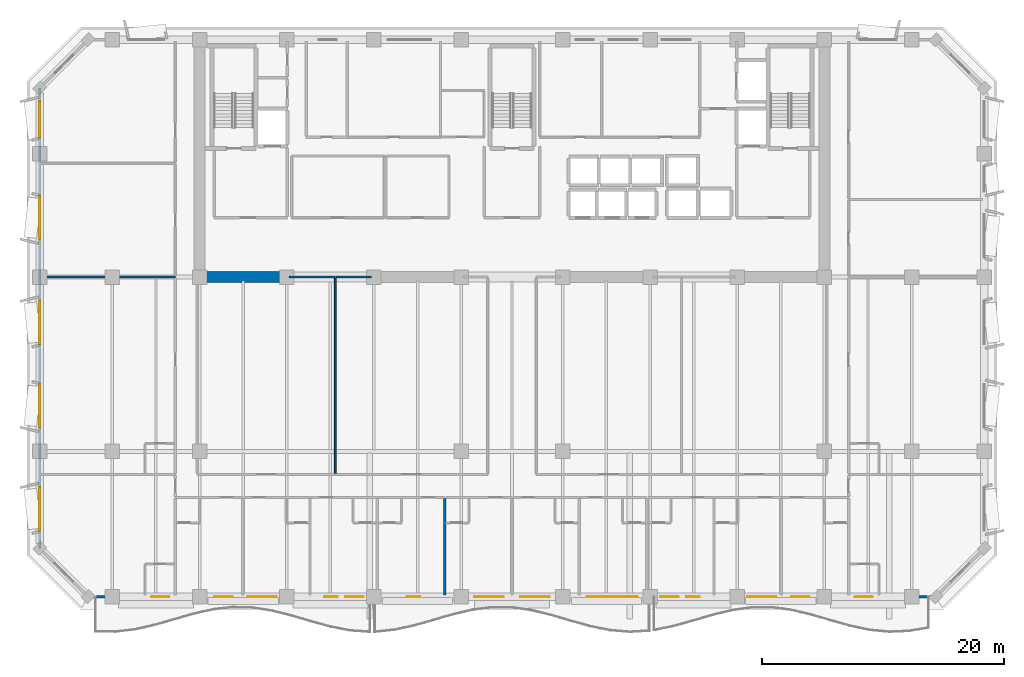
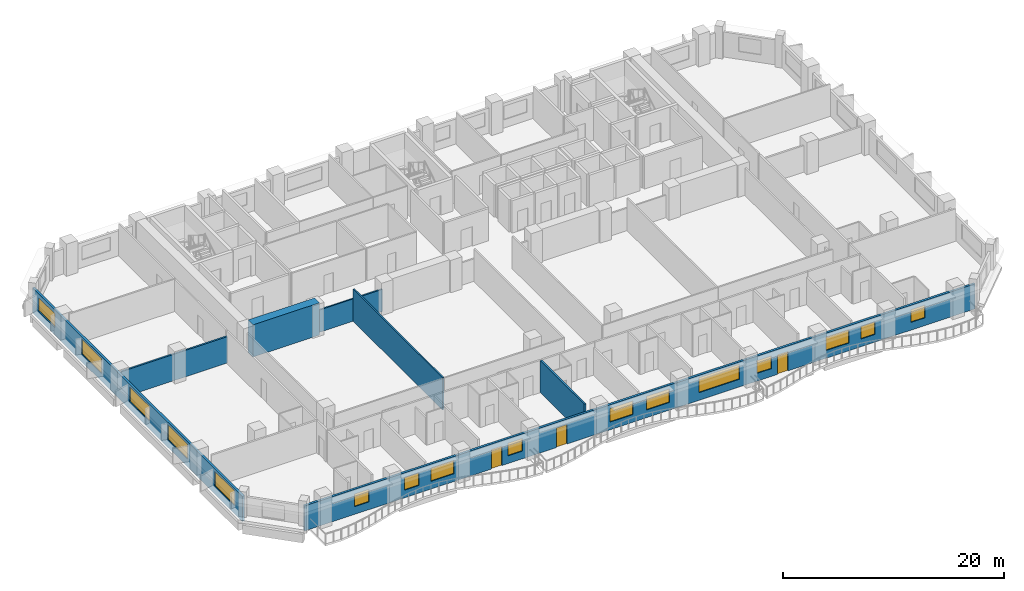
# One storey, part 5 of 15: 16 windows, 8 walls, 3 doors, 19 openings.
"""IFC4 building model written with IfcOpenShell, lengths in metres."""

from ifc_helpers import new_model, si_unit, direction, frame, frame_2d, origin, place, context, subcontext, project, spatial, rectangle, extrude, material, layer, layer_set, type_object, element, fill, save


model = new_model("IFC4")

# Units and contexts
model_context = context("Model", 3, precision=1e-05, world=origin(), true_north=direction((0.0, 1.0)))
body_context = subcontext(model_context, "Body", "Model", "MODEL_VIEW")
ifc_project = project(units=[si_unit("LENGTHUNIT", "METRE"), si_unit("AREAUNIT", "SQUARE_METRE"), si_unit("VOLUMEUNIT", "CUBIC_METRE"), si_unit("PLANEANGLEUNIT", "RADIAN"), si_unit("MASSUNIT", "GRAM", prefix="KILO")], contexts=[model_context])

# Site, building, storey
site_placement = place(None, origin())
site = spatial("IfcSite", under=ifc_project, at=site_placement, CompositionType="ELEMENT")
building_placement = place(site_placement, origin())
building = spatial("IfcBuilding", under=site, at=building_placement, Name="Kaelvorn Grand Hotel", CompositionType="ELEMENT")
storey_placement = place(building_placement, frame((0.0, 0.0, 139.14990234375)))
storey = spatial("IfcBuildingStorey", under=building, at=storey_placement, Name="L33", CompositionType="ELEMENT", Elevation=139.14990234375)

# Wall
ifc_material_1 = material(Name="Concrete C60/75", Category="concrete")
ifc_layer_1 = layer(ifc_material_1, 0.89990234375)
ifc_layer_set_1 = layer_set([ifc_layer_1], Name="Concrete C60/75")
wall_type_1 = type_object("IfcWallType", Name="WL-CORE-900-C60", PredefinedType="SHEAR", material=ifc_layer_set_1)
wall_1_placement = place(storey_placement, frame((16.655029296875, 29.39990234375, 0.0), z_axis=(0.0, 0.0, 1.0), x_axis=(1.0, 0.0, 0.0)))
element("IfcWall", 1, at=wall_1_placement, inside=storey, type_object=wall_type_1, Name="L33 Rear-Core Coupled Shear Pier S1", PredefinedType="SHEAR", context=body_context, shape_type="SweptSolid", body=[
    extrude(rectangle(XDim=6.945068359375, YDim=0.89990234375, at=frame_2d((3.47265625, 0.0))), origin(), (0.0, 0.0, 1.0), 3.56005859375),
])

# Wall, openings, doors, windows
ifc_material_2 = material(Name="Concrete C40/50", Category="concrete")
ifc_layer_2 = layer(ifc_material_2, 0.239990234375)
ifc_layer_set_2 = layer_set([ifc_layer_2], Name="Concrete C40/50")
wall_type_2 = type_object("IfcWallType", Name="WL-EXT-240-C40", PredefinedType="SOLIDWALL", material=ifc_layer_set_2)
wall_2_placement = place(storey_placement, frame((7.0, 3.0, 0.0), z_axis=(0.0, 0.0, 1.0), x_axis=(1.0, 0.0, 0.0)))
wall_2 = element("IfcWall", 2, at=wall_2_placement, inside=storey, type_object=wall_type_2, Name="L33 Exterior Architectural Concrete Wall 01", PredefinedType="SOLIDWALL", context=body_context, shape_type="SweptSolid", body=[
    extrude(rectangle(XDim=70.0, YDim=0.239990234375, at=frame_2d((35.0, 0.0))), origin(), (0.0, 0.0, 1.0), 2.760009765625),
])
opening_1_placement = place(wall_2_placement, frame((19.5166015625, 0.0, 0.0)))
opening_1 = element("IfcOpeningElement", 3, at=opening_1_placement, cuts=wall_2, Name="Opening DE2", PredefinedType="OPENING", context=body_context, shape_type="SweptSolid", body=[
    extrude(rectangle(XDim=1.10009765625, YDim=2.14990234375, at=frame_2d((0.550048828125, 1.074951171875))), frame((0.0, 0.1298828125, 0.0), z_axis=(0.0, -1.0, 0.0), x_axis=(1.0, 0.0, 0.0)), (0.0, 0.0, 1.0), 0.260009765625),
])
opening_2_placement = place(wall_2_placement, frame((26.316650390625, 0.0, 0.0)))
opening_2 = element("IfcOpeningElement", 4, at=opening_2_placement, cuts=wall_2, Name="Opening DE2", PredefinedType="OPENING", context=body_context, shape_type="SweptSolid", body=[
    extrude(rectangle(XDim=1.10009765625, YDim=2.14990234375, at=frame_2d((0.550048828125, 1.074951171875))), frame((0.0, 0.1298828125, 0.0), z_axis=(0.0, -1.0, 0.0), x_axis=(1.0, 0.0, 0.0)), (0.0, 0.0, 1.0), 0.260009765625),
])
opening_3_placement = place(wall_2_placement, frame((49.38330078125, 0.0, 0.0)))
opening_3 = element("IfcOpeningElement", 5, at=opening_3_placement, cuts=wall_2, Name="Opening DE2", PredefinedType="OPENING", context=body_context, shape_type="SweptSolid", body=[
    extrude(rectangle(XDim=1.10009765625, YDim=2.14990234375, at=frame_2d((0.550048828125, 1.074951171875))), frame((0.0, 0.1298828125, 0.0), z_axis=(0.0, -1.0, 0.0), x_axis=(1.0, 0.0, 0.0)), (0.0, 0.0, 1.0), 0.260009765625),
])
opening_4_placement = place(wall_2_placement, frame((5.199951171875, 0.0, 0.85009765625)))
opening_4 = element("IfcOpeningElement", 6, at=opening_4_placement, cuts=wall_2, Name="Opening W10", PredefinedType="OPENING", context=body_context, shape_type="SweptSolid", body=[
    extrude(rectangle(XDim=1.5, YDim=1.39990234375, at=frame_2d((0.75, 0.699951171875))), frame((0.0, 0.1298828125, 0.0), z_axis=(0.0, -1.0, 0.0), x_axis=(1.0, 0.0, 0.0)), (0.0, 0.0, 1.0), 0.260009765625),
])
opening_5_placement = place(wall_2_placement, frame((10.429931640625, 0.0, 0.85009765625)))
opening_5 = element("IfcOpeningElement", 7, at=opening_5_placement, cuts=wall_2, Name="Opening W10", PredefinedType="OPENING", context=body_context, shape_type="SweptSolid", body=[
    extrude(rectangle(XDim=1.5, YDim=1.39990234375, at=frame_2d((0.75, 0.699951171875))), frame((0.0, 0.1298828125, 0.0), z_axis=(0.0, -1.0, 0.0), x_axis=(1.0, 0.0, 0.0)), (0.0, 0.0, 1.0), 0.260009765625),
])
opening_6_placement = place(wall_2_placement, frame((13.179931640625, 0.0, 0.85009765625)))
opening_6 = element("IfcOpeningElement", 8, at=opening_6_placement, cuts=wall_2, Name="Opening W6", PredefinedType="OPENING", context=body_context, shape_type="SweptSolid", body=[
    extrude(rectangle(XDim=2.39990234375, YDim=1.5, at=frame_2d((1.199951171875, 0.75))), frame((0.0, 0.1298828125, 0.0), z_axis=(0.0, -1.0, 0.0), x_axis=(1.0, 0.0, 0.0)), (0.0, 0.0, 1.0), 0.260009765625),
])
opening_7_placement = place(wall_2_placement, frame((21.243408203125, 0.0, 0.85009765625)))
opening_7 = element("IfcOpeningElement", 9, at=opening_7_placement, cuts=wall_2, Name="Opening W10", PredefinedType="OPENING", context=body_context, shape_type="SweptSolid", body=[
    extrude(rectangle(XDim=1.5, YDim=1.39990234375, at=frame_2d((0.75, 0.699951171875))), frame((0.0, 0.1298828125, 0.0), z_axis=(0.0, -1.0, 0.0), x_axis=(1.0, 0.0, 0.0)), (0.0, 0.0, 1.0), 0.260009765625),
])
opening_8_placement = place(wall_2_placement, frame((31.89990234375, 0.0, 0.85009765625)))
opening_8 = element("IfcOpeningElement", 10, at=opening_8_placement, cuts=wall_2, Name="Opening W6", PredefinedType="OPENING", context=body_context, shape_type="SweptSolid", body=[
    extrude(rectangle(XDim=2.39990234375, YDim=1.5, at=frame_2d((1.199951171875, 0.75))), frame((0.0, 0.1298828125, 0.0), z_axis=(0.0, -1.0, 0.0), x_axis=(1.0, 0.0, 0.0)), (0.0, 0.0, 1.0), 0.260009765625),
])
opening_9_placement = place(wall_2_placement, frame((35.699951171875, 0.0, 0.85009765625)))
opening_9 = element("IfcOpeningElement", 11, at=opening_9_placement, cuts=wall_2, Name="Opening W6", PredefinedType="OPENING", context=body_context, shape_type="SweptSolid", body=[
    extrude(rectangle(XDim=2.39990234375, YDim=1.5, at=frame_2d((1.199951171875, 0.75))), frame((0.0, 0.1298828125, 0.0), z_axis=(0.0, -1.0, 0.0), x_axis=(1.0, 0.0, 0.0)), (0.0, 0.0, 1.0), 0.260009765625),
])
opening_10_placement = place(wall_2_placement, frame((41.179931640625, 0.0, 0.85009765625)))
opening_10 = element("IfcOpeningElement", 12, at=opening_10_placement, cuts=wall_2, Name="Opening W2", PredefinedType="OPENING", context=body_context, shape_type="SweptSolid", body=[
    extrude(rectangle(XDim=4.199951171875, YDim=1.64990234375, at=frame_2d((2.10009765625, 0.824951171875))), frame((0.0, 0.1298828125, 0.0), z_axis=(0.0, -1.0, 0.0), x_axis=(1.0, 0.0, 0.0)), (0.0, 0.0, 1.0), 0.260009765625),
])
opening_11_placement = place(wall_2_placement, frame((47.256591796875, 0.0, 0.85009765625)))
opening_11 = element("IfcOpeningElement", 13, at=opening_11_placement, cuts=wall_2, Name="Opening W10", PredefinedType="OPENING", context=body_context, shape_type="SweptSolid", body=[
    extrude(rectangle(XDim=1.5, YDim=1.39990234375, at=frame_2d((0.75, 0.699951171875))), frame((0.0, 0.1298828125, 0.0), z_axis=(0.0, -1.0, 0.0), x_axis=(1.0, 0.0, 0.0)), (0.0, 0.0, 1.0), 0.260009765625),
])
opening_12_placement = place(wall_2_placement, frame((54.419921875, 0.0, 0.85009765625)))
opening_12 = element("IfcOpeningElement", 14, at=opening_12_placement, cuts=wall_2, Name="Opening W6", PredefinedType="OPENING", context=body_context, shape_type="SweptSolid", body=[
    extrude(rectangle(XDim=2.39990234375, YDim=1.5, at=frame_2d((1.199951171875, 0.75))), frame((0.0, 0.1298828125, 0.0), z_axis=(0.0, -1.0, 0.0), x_axis=(1.0, 0.0, 0.0)), (0.0, 0.0, 1.0), 0.260009765625),
])
opening_13_placement = place(wall_2_placement, frame((58.070068359375, 0.0, 0.85009765625)))
opening_13 = element("IfcOpeningElement", 15, at=opening_13_placement, cuts=wall_2, Name="Opening W10", PredefinedType="OPENING", context=body_context, shape_type="SweptSolid", body=[
    extrude(rectangle(XDim=1.5, YDim=1.39990234375, at=frame_2d((0.75, 0.699951171875))), frame((0.0, 0.1298828125, 0.0), z_axis=(0.0, -1.0, 0.0), x_axis=(1.0, 0.0, 0.0)), (0.0, 0.0, 1.0), 0.260009765625),
])
opening_14_placement = place(wall_2_placement, frame((63.300048828125, 0.0, 0.85009765625)))
opening_14 = element("IfcOpeningElement", 16, at=opening_14_placement, cuts=wall_2, Name="Opening W10", PredefinedType="OPENING", context=body_context, shape_type="SweptSolid", body=[
    extrude(rectangle(XDim=1.5, YDim=1.39990234375, at=frame_2d((0.75, 0.699951171875))), frame((0.0, 0.1298828125, 0.0), z_axis=(0.0, -1.0, 0.0), x_axis=(1.0, 0.0, 0.0)), (0.0, 0.0, 1.0), 0.260009765625),
])
ifc_material_3 = material(Name="Anodised Aluminium", Category="aluminium")
door_type = type_object("IfcDoorType", Name="DR-EXT-BALC-1100x2150", OperationType="NOTDEFINED", PredefinedType="DOOR", material=ifc_material_3)
door_1_placement = place(opening_1_placement, origin())
door_1 = element("IfcDoor", 17, at=door_1_placement, inside=storey, type_object=door_type, Name="L33 Scalloped Balcony Glazed Door DE2-1", OperationType="SINGLE_SWING_LEFT", OverallHeight=2.14990234375, OverallWidth=1.10009765625, PredefinedType="DOOR", context=body_context, shape_type="SweptSolid", body=[
    extrude(rectangle(XDim=1.10009765625, YDim=2.14990234375, at=frame_2d((0.550048828125, 1.074951171875))), frame((0.0, 0.02490234375, 0.0), z_axis=(0.0, -1.0, 0.0), x_axis=(1.0, 0.0, 0.0)), (0.0, 0.0, 1.0), 0.050048828125),
])
fill(opening_1, door_1)
door_2_placement = place(opening_2_placement, origin())
door_2 = element("IfcDoor", 18, at=door_2_placement, inside=storey, type_object=door_type, Name="L33 Scalloped Balcony Glazed Door DE2-2", OperationType="SINGLE_SWING_RIGHT", OverallHeight=2.14990234375, OverallWidth=1.10009765625, PredefinedType="DOOR", context=body_context, shape_type="SweptSolid", body=[
    extrude(rectangle(XDim=1.10009765625, YDim=2.14990234375, at=frame_2d((0.550048828125, 1.074951171875))), frame((0.0, 0.02490234375, 0.0), z_axis=(0.0, -1.0, 0.0), x_axis=(1.0, 0.0, 0.0)), (0.0, 0.0, 1.0), 0.050048828125),
])
fill(opening_2, door_2)
door_3_placement = place(opening_3_placement, origin())
door_3 = element("IfcDoor", 19, at=door_3_placement, inside=storey, type_object=door_type, Name="L33 Scalloped Balcony Glazed Door DE2-3", OperationType="SINGLE_SWING_LEFT", OverallHeight=2.14990234375, OverallWidth=1.10009765625, PredefinedType="DOOR", context=body_context, shape_type="SweptSolid", body=[
    extrude(rectangle(XDim=1.10009765625, YDim=2.14990234375, at=frame_2d((0.550048828125, 1.074951171875))), frame((0.0, 0.02490234375, 0.0), z_axis=(0.0, -1.0, 0.0), x_axis=(1.0, 0.0, 0.0)), (0.0, 0.0, 1.0), 0.050048828125),
])
fill(opening_3, door_3)
ifc_material_4 = material(Name="Laminated Low-E Glass", Category="glass")
window_type_1 = type_object("IfcWindowType", Name="WIN-COR-1500x1400", PartitioningType="SINGLE_PANEL", PredefinedType="WINDOW", material=ifc_material_4)
window_1_placement = place(opening_4_placement, origin())
window_1 = element("IfcWindow", 20, at=window_1_placement, inside=storey, type_object=window_type_1, Name="L33 South Guestroom Ribbon Window SR01", OverallHeight=1.39990234375, OverallWidth=1.5, PartitioningType="SINGLE_PANEL", PredefinedType="WINDOW", context=body_context, shape_type="SweptSolid", body=[
    extrude(rectangle(XDim=1.5, YDim=1.39990234375, at=frame_2d((0.75, 0.699951171875))), frame((0.0, 0.030029296875, 0.0), z_axis=(0.0, -1.0, 0.0), x_axis=(1.0, 0.0, 0.0)), (0.0, 0.0, 1.0), 0.06005859375),
])
fill(opening_4, window_1)
window_2_placement = place(opening_5_placement, origin())
window_2 = element("IfcWindow", 21, at=window_2_placement, inside=storey, type_object=window_type_1, Name="L33 South Guestroom Ribbon Window SR02", OverallHeight=1.39990234375, OverallWidth=1.5, PartitioningType="SINGLE_PANEL", PredefinedType="WINDOW", context=body_context, shape_type="SweptSolid", body=[
    extrude(rectangle(XDim=1.5, YDim=1.39990234375, at=frame_2d((0.75, 0.699951171875))), frame((0.0, 0.030029296875, 0.0), z_axis=(0.0, -1.0, 0.0), x_axis=(1.0, 0.0, 0.0)), (0.0, 0.0, 1.0), 0.06005859375),
])
fill(opening_5, window_2)
window_3_placement = place(opening_7_placement, origin())
window_3 = element("IfcWindow", 22, at=window_3_placement, inside=storey, type_object=window_type_1, Name="L33 South Guestroom Ribbon Window SR04", OverallHeight=1.39990234375, OverallWidth=1.5, PartitioningType="SINGLE_PANEL", PredefinedType="WINDOW", context=body_context, shape_type="SweptSolid", body=[
    extrude(rectangle(XDim=1.5, YDim=1.39990234375, at=frame_2d((0.75, 0.699951171875))), frame((0.0, 0.030029296875, 0.0), z_axis=(0.0, -1.0, 0.0), x_axis=(1.0, 0.0, 0.0)), (0.0, 0.0, 1.0), 0.06005859375),
])
fill(opening_7, window_3)
window_4_placement = place(opening_11_placement, origin())
window_4 = element("IfcWindow", 23, at=window_4_placement, inside=storey, type_object=window_type_1, Name="L33 South Guestroom Ribbon Window SR08", OverallHeight=1.39990234375, OverallWidth=1.5, PartitioningType="SINGLE_PANEL", PredefinedType="WINDOW", context=body_context, shape_type="SweptSolid", body=[
    extrude(rectangle(XDim=1.5, YDim=1.39990234375, at=frame_2d((0.75, 0.699951171875))), frame((0.0, 0.030029296875, 0.0), z_axis=(0.0, -1.0, 0.0), x_axis=(1.0, 0.0, 0.0)), (0.0, 0.0, 1.0), 0.06005859375),
])
fill(opening_11, window_4)
window_5_placement = place(opening_13_placement, origin())
window_5 = element("IfcWindow", 24, at=window_5_placement, inside=storey, type_object=window_type_1, Name="L33 South Guestroom Ribbon Window SR10", OverallHeight=1.39990234375, OverallWidth=1.5, PartitioningType="SINGLE_PANEL", PredefinedType="WINDOW", context=body_context, shape_type="SweptSolid", body=[
    extrude(rectangle(XDim=1.5, YDim=1.39990234375, at=frame_2d((0.75, 0.699951171875))), frame((0.0, 0.030029296875, 0.0), z_axis=(0.0, -1.0, 0.0), x_axis=(1.0, 0.0, 0.0)), (0.0, 0.0, 1.0), 0.06005859375),
])
fill(opening_13, window_5)
window_6_placement = place(opening_14_placement, origin())
window_6 = element("IfcWindow", 25, at=window_6_placement, inside=storey, type_object=window_type_1, Name="L33 South Guestroom Ribbon Window SR11", OverallHeight=1.39990234375, OverallWidth=1.5, PartitioningType="SINGLE_PANEL", PredefinedType="WINDOW", context=body_context, shape_type="SweptSolid", body=[
    extrude(rectangle(XDim=1.5, YDim=1.39990234375, at=frame_2d((0.75, 0.699951171875))), frame((0.0, 0.030029296875, 0.0), z_axis=(0.0, -1.0, 0.0), x_axis=(1.0, 0.0, 0.0)), (0.0, 0.0, 1.0), 0.06005859375),
])
fill(opening_14, window_6)
window_type_2 = type_object("IfcWindowType", Name="WIN-NTH-2400x1500", PartitioningType="SINGLE_PANEL", PredefinedType="WINDOW", material=ifc_material_4)
window_7_placement = place(opening_6_placement, origin())
window_7 = element("IfcWindow", 26, at=window_7_placement, inside=storey, type_object=window_type_2, Name="L33 South Guestroom Ribbon Window SR03", OverallHeight=1.5, OverallWidth=2.39990234375, PartitioningType="SINGLE_PANEL", PredefinedType="WINDOW", context=body_context, shape_type="SweptSolid", body=[
    extrude(rectangle(XDim=2.39990234375, YDim=1.5, at=frame_2d((1.199951171875, 0.75))), frame((0.0, 0.030029296875, 0.0), z_axis=(0.0, -1.0, 0.0), x_axis=(1.0, 0.0, 0.0)), (0.0, 0.0, 1.0), 0.06005859375),
])
fill(opening_6, window_7)
window_8_placement = place(opening_8_placement, origin())
window_8 = element("IfcWindow", 27, at=window_8_placement, inside=storey, type_object=window_type_2, Name="L33 South Guestroom Ribbon Window SR05", OverallHeight=1.5, OverallWidth=2.39990234375, PartitioningType="SINGLE_PANEL", PredefinedType="WINDOW", context=body_context, shape_type="SweptSolid", body=[
    extrude(rectangle(XDim=2.39990234375, YDim=1.5, at=frame_2d((1.199951171875, 0.75))), frame((0.0, 0.030029296875, 0.0), z_axis=(0.0, -1.0, 0.0), x_axis=(1.0, 0.0, 0.0)), (0.0, 0.0, 1.0), 0.06005859375),
])
fill(opening_8, window_8)
window_9_placement = place(opening_9_placement, origin())
window_9 = element("IfcWindow", 28, at=window_9_placement, inside=storey, type_object=window_type_2, Name="L33 South Guestroom Ribbon Window SR06", OverallHeight=1.5, OverallWidth=2.39990234375, PartitioningType="SINGLE_PANEL", PredefinedType="WINDOW", context=body_context, shape_type="SweptSolid", body=[
    extrude(rectangle(XDim=2.39990234375, YDim=1.5, at=frame_2d((1.199951171875, 0.75))), frame((0.0, 0.030029296875, 0.0), z_axis=(0.0, -1.0, 0.0), x_axis=(1.0, 0.0, 0.0)), (0.0, 0.0, 1.0), 0.06005859375),
])
fill(opening_9, window_9)
window_10_placement = place(opening_12_placement, origin())
window_10 = element("IfcWindow", 29, at=window_10_placement, inside=storey, type_object=window_type_2, Name="L33 South Guestroom Ribbon Window SR09", OverallHeight=1.5, OverallWidth=2.39990234375, PartitioningType="SINGLE_PANEL", PredefinedType="WINDOW", context=body_context, shape_type="SweptSolid", body=[
    extrude(rectangle(XDim=2.39990234375, YDim=1.5, at=frame_2d((1.199951171875, 0.75))), frame((0.0, 0.030029296875, 0.0), z_axis=(0.0, -1.0, 0.0), x_axis=(1.0, 0.0, 0.0)), (0.0, 0.0, 1.0), 0.06005859375),
])
fill(opening_12, window_10)
window_type_3 = type_object("IfcWindowType", Name="WIN-RIB-4200x1650", PartitioningType="SINGLE_PANEL", PredefinedType="WINDOW", material=ifc_material_4)
window_11_placement = place(opening_10_placement, origin())
window_11 = element("IfcWindow", 30, at=window_11_placement, inside=storey, type_object=window_type_3, Name="L33 South Guestroom Ribbon Window SR07", OverallHeight=1.64990234375, OverallWidth=4.199951171875, PartitioningType="SINGLE_PANEL", PredefinedType="WINDOW", context=body_context, shape_type="SweptSolid", body=[
    extrude(rectangle(XDim=4.199951171875, YDim=1.64990234375, at=frame_2d((2.10009765625, 0.824951171875))), frame((0.0, 0.030029296875, 0.0), z_axis=(0.0, -1.0, 0.0), x_axis=(1.0, 0.0, 0.0)), (0.0, 0.0, 1.0), 0.06005859375),
])
fill(opening_10, window_11)

# Wall, openings, windows
wall_3_placement = place(storey_placement, frame((3.0, 45.0, 0.0), z_axis=(0.0, 0.0, 1.0), x_axis=(0.0, -1.0, 0.0)))
wall_3 = element("IfcWall", 31, at=wall_3_placement, inside=storey, type_object=wall_type_2, Name="L33 Exterior Architectural Concrete Wall 07", PredefinedType="SOLIDWALL", context=body_context, shape_type="SweptSolid", body=[
    extrude(rectangle(XDim=38.0, YDim=0.239990234375, at=frame_2d((19.0, 0.0))), origin(), (0.0, 0.0, 1.0), 2.760009765625),
])
opening_15_placement = place(wall_3_placement, frame((32.949951171875, 0.0, 0.85009765625)))
opening_15 = element("IfcOpeningElement", 32, at=opening_15_placement, cuts=wall_3, Name="Opening W3", PredefinedType="OPENING", context=body_context, shape_type="SweptSolid", body=[
    extrude(rectangle(XDim=3.60009765625, YDim=1.64990234375, at=frame_2d((1.800048828125, 0.824951171875))), frame((0.0, 0.1298828125, 0.0), z_axis=(0.0, -1.0, 0.0), x_axis=(1.0, 0.0, 0.0)), (0.0, 0.0, 1.0), 0.260009765625),
])
opening_16_placement = place(wall_3_placement, frame((24.43505859375, 0.0, 0.85009765625)))
opening_16 = element("IfcOpeningElement", 33, at=opening_16_placement, cuts=wall_3, Name="Opening W3", PredefinedType="OPENING", context=body_context, shape_type="SweptSolid", body=[
    extrude(rectangle(XDim=3.60009765625, YDim=1.64990234375, at=frame_2d((1.800048828125, 0.824951171875))), frame((0.0, 0.1298828125, 0.0), z_axis=(0.0, -1.0, 0.0), x_axis=(1.0, 0.0, 0.0)), (0.0, 0.0, 1.0), 0.260009765625),
])
opening_17_placement = place(wall_3_placement, frame((17.56494140625, 0.0, 0.85009765625)))
opening_17 = element("IfcOpeningElement", 34, at=opening_17_placement, cuts=wall_3, Name="Opening W3", PredefinedType="OPENING", context=body_context, shape_type="SweptSolid", body=[
    extrude(rectangle(XDim=3.60009765625, YDim=1.64990234375, at=frame_2d((1.800048828125, 0.824951171875))), frame((0.0, 0.1298828125, 0.0), z_axis=(0.0, -1.0, 0.0), x_axis=(1.0, 0.0, 0.0)), (0.0, 0.0, 1.0), 0.260009765625),
])
opening_18_placement = place(wall_3_placement, frame((8.89990234375, 0.0, 0.85009765625)))
opening_18 = element("IfcOpeningElement", 35, at=opening_18_placement, cuts=wall_3, Name="Opening W3", PredefinedType="OPENING", context=body_context, shape_type="SweptSolid", body=[
    extrude(rectangle(XDim=3.60009765625, YDim=1.64990234375, at=frame_2d((1.800048828125, 0.824951171875))), frame((0.0, 0.1298828125, 0.0), z_axis=(0.0, -1.0, 0.0), x_axis=(1.0, 0.0, 0.0)), (0.0, 0.0, 1.0), 0.260009765625),
])
opening_19_placement = place(wall_3_placement, frame((1.0849609375, 0.0, 0.85009765625)))
opening_19 = element("IfcOpeningElement", 36, at=opening_19_placement, cuts=wall_3, Name="Opening W5", PredefinedType="OPENING", context=body_context, shape_type="SweptSolid", body=[
    extrude(rectangle(XDim=3.0, YDim=1.5, at=frame_2d((1.5, 0.75))), frame((0.0, 0.1298828125, 0.0), z_axis=(0.0, -1.0, 0.0), x_axis=(1.0, 0.0, 0.0)), (0.0, 0.0, 1.0), 0.260009765625),
])
window_type_4 = type_object("IfcWindowType", Name="WIN-NTH-3000x1500", PartitioningType="SINGLE_PANEL", PredefinedType="WINDOW", material=ifc_material_4)
window_12_placement = place(opening_19_placement, origin())
window_12 = element("IfcWindow", 37, at=window_12_placement, inside=storey, type_object=window_type_4, Name="L33 W Wing Tilted-Frame Ribbon Window W05", OverallHeight=1.5, OverallWidth=3.0, PartitioningType="SINGLE_PANEL", PredefinedType="WINDOW", context=body_context, shape_type="SweptSolid", body=[
    extrude(rectangle(XDim=3.0, YDim=1.5, at=frame_2d((1.5, 0.75))), frame((0.0, 0.030029296875, 0.0), z_axis=(0.0, -1.0, 0.0), x_axis=(1.0, 0.0, 0.0)), (0.0, 0.0, 1.0), 0.06005859375),
])
fill(opening_19, window_12)
window_type_5 = type_object("IfcWindowType", Name="WIN-RIB-3600x1750", PartitioningType="SINGLE_PANEL", PredefinedType="WINDOW", material=ifc_material_4)
window_13_placement = place(opening_15_placement, origin())
window_13 = element("IfcWindow", 38, at=window_13_placement, inside=storey, type_object=window_type_5, Name="L33 W Wing Tilted-Frame Ribbon Window W01", OverallHeight=1.64990234375, OverallWidth=3.60009765625, PartitioningType="SINGLE_PANEL", PredefinedType="WINDOW", context=body_context, shape_type="SweptSolid", body=[
    extrude(rectangle(XDim=3.60009765625, YDim=1.64990234375, at=frame_2d((1.800048828125, 0.824951171875))), frame((0.0, 0.030029296875, 0.0), z_axis=(0.0, -1.0, 0.0), x_axis=(1.0, 0.0, 0.0)), (0.0, 0.0, 1.0), 0.06005859375),
])
fill(opening_15, window_13)
window_14_placement = place(opening_16_placement, origin())
window_14 = element("IfcWindow", 39, at=window_14_placement, inside=storey, type_object=window_type_5, Name="L33 W Wing Tilted-Frame Ribbon Window W02", OverallHeight=1.64990234375, OverallWidth=3.60009765625, PartitioningType="SINGLE_PANEL", PredefinedType="WINDOW", context=body_context, shape_type="SweptSolid", body=[
    extrude(rectangle(XDim=3.60009765625, YDim=1.64990234375, at=frame_2d((1.800048828125, 0.824951171875))), frame((0.0, 0.030029296875, 0.0), z_axis=(0.0, -1.0, 0.0), x_axis=(1.0, 0.0, 0.0)), (0.0, 0.0, 1.0), 0.06005859375),
])
fill(opening_16, window_14)
window_15_placement = place(opening_17_placement, origin())
window_15 = element("IfcWindow", 40, at=window_15_placement, inside=storey, type_object=window_type_5, Name="L33 W Wing Tilted-Frame Ribbon Window W03", OverallHeight=1.64990234375, OverallWidth=3.60009765625, PartitioningType="SINGLE_PANEL", PredefinedType="WINDOW", context=body_context, shape_type="SweptSolid", body=[
    extrude(rectangle(XDim=3.60009765625, YDim=1.64990234375, at=frame_2d((1.800048828125, 0.824951171875))), frame((0.0, 0.030029296875, 0.0), z_axis=(0.0, -1.0, 0.0), x_axis=(1.0, 0.0, 0.0)), (0.0, 0.0, 1.0), 0.06005859375),
])
fill(opening_17, window_15)
window_16_placement = place(opening_18_placement, origin())
window_16 = element("IfcWindow", 41, at=window_16_placement, inside=storey, type_object=window_type_5, Name="L33 W Wing Tilted-Frame Ribbon Window W04", OverallHeight=1.64990234375, OverallWidth=3.60009765625, PartitioningType="SINGLE_PANEL", PredefinedType="WINDOW", context=body_context, shape_type="SweptSolid", body=[
    extrude(rectangle(XDim=3.60009765625, YDim=1.64990234375, at=frame_2d((1.800048828125, 0.824951171875))), frame((0.0, 0.030029296875, 0.0), z_axis=(0.0, -1.0, 0.0), x_axis=(1.0, 0.0, 0.0)), (0.0, 0.0, 1.0), 0.06005859375),
])
fill(opening_18, window_16)

# Walls
ifc_material_5 = material(Name="Acoustic Gypsum & Stud Partition")
ifc_layer_3 = layer(ifc_material_5, 0.14990234375)
ifc_layer_set_3 = layer_set([ifc_layer_3], Name="Acoustic Gypsum & Stud Partition")
wall_type_3 = type_object("IfcWallType", Name="WL-PART-150-EI60", PredefinedType="PARTITIONING", material=ifc_layer_set_3)
wall_4_placement = place(storey_placement, frame((23.610107421875, 29.39990234375, 0.0), z_axis=(0.0, 0.0, 1.0), x_axis=(1.0, 0.0, 0.0)))
element("IfcWall", 42, at=wall_4_placement, inside=storey, type_object=wall_type_3, Name="L33 Private Dining Restaurant N Partition", PredefinedType="PARTITIONING", context=body_context, shape_type="SweptSolid", body=[
    extrude(rectangle(XDim=3.789794921875, YDim=0.14990234375, at=frame_2d((1.89501953125, 0.0))), origin(), (0.0, 0.0, 1.0), 2.460205078125),
])
wall_5_placement = place(storey_placement, frame((27.39990234375, 13.179931640625, 0.0), z_axis=(0.0, 0.0, 1.0), x_axis=(0.0, 1.0, 0.0)))
element("IfcWall", 43, at=wall_5_placement, inside=storey, type_object=wall_type_3, Name="L33 Private Dining Restaurant E Partition", PredefinedType="PARTITIONING", context=body_context, shape_type="SweptSolid", body=[
    extrude(rectangle(XDim=16.14013671875, YDim=0.14990234375, at=frame_2d((8.070068359375, 0.0))), origin(), (0.0, 0.0, 1.0), 3.56005859375),
])
wall_6_placement = place(storey_placement, frame((27.47998046875, 29.39990234375, 0.0), z_axis=(0.0, 0.0, 1.0), x_axis=(1.0, 0.0, 0.0)))
element("IfcWall", 44, at=wall_6_placement, inside=storey, type_object=wall_type_3, Name="L33 Hospitality Tea Kitchen N Partition (1)", PredefinedType="PARTITIONING", context=body_context, shape_type="SweptSolid", body=[
    extrude(rectangle(XDim=2.909912109375, YDim=0.14990234375, at=frame_2d((1.455078125, 0.0))), origin(), (0.0, 0.0, 1.0), 2.460205078125),
])
ifc_layer_4 = layer(ifc_material_5, 0.179931640625)
ifc_layer_set_4 = layer_set([ifc_layer_4], Name="Acoustic Gypsum & Stud Partition")
wall_type_4 = type_object("IfcWallType", Name="WL-PART-180-EI60", PredefinedType="PARTITIONING", material=ifc_layer_set_4)
wall_7_placement = place(storey_placement, frame((36.43994140625, 3.14990234375, 0.0), z_axis=(0.0, 0.0, 1.0), x_axis=(0.0, 1.0, 0.0)))
element("IfcWall", 45, at=wall_7_placement, inside=storey, type_object=wall_type_4, Name="L33 Superior King Guest Room L33-04 E Partition", PredefinedType="PARTITIONING", context=body_context, shape_type="SweptSolid", body=[
    extrude(rectangle(XDim=7.955078125, YDim=0.179931640625, at=frame_2d((3.9775390625, 0.0))), origin(), (0.0, 0.0, 1.0), 3.56005859375),
])
wall_8_placement = place(storey_placement, frame((3.14990234375, 29.39990234375, 0.0), z_axis=(0.0, 0.0, 1.0), x_axis=(1.0, 0.0, 0.0)))
element("IfcWall", 46, at=wall_8_placement, inside=storey, type_object=wall_type_4, Name="L33 West End Panoramic Suite L33-12 N Partition", PredefinedType="PARTITIONING", context=body_context, shape_type="SweptSolid", body=[
    extrude(rectangle(XDim=11.050048828125, YDim=0.179931640625, at=frame_2d((5.52490234375, 0.0))), origin(), (0.0, 0.0, 1.0), 2.91015625),
])

save(model, "model.ifc")
